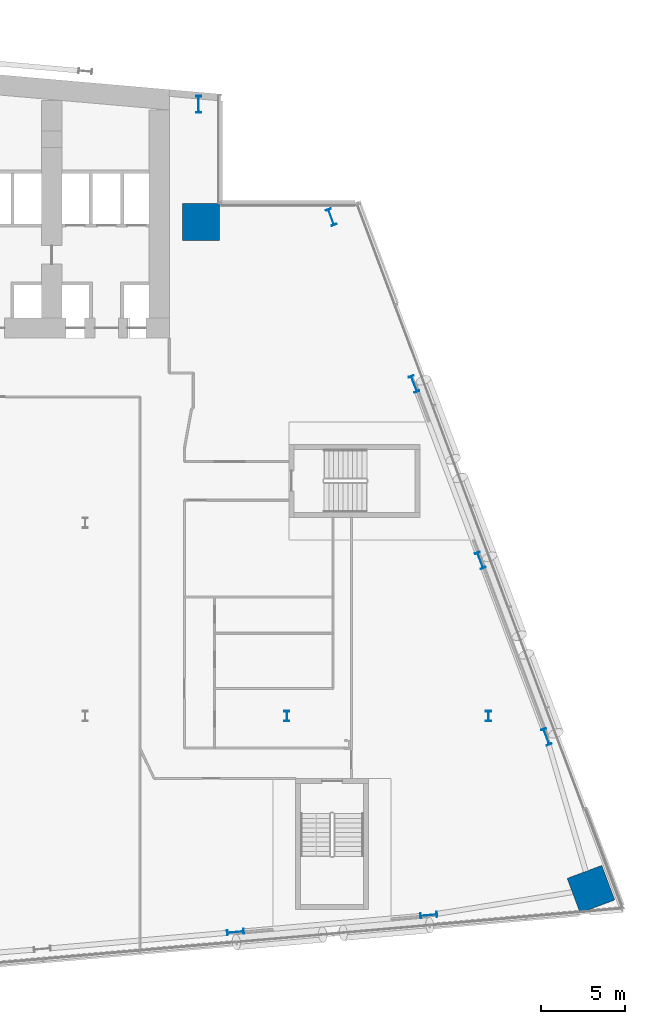
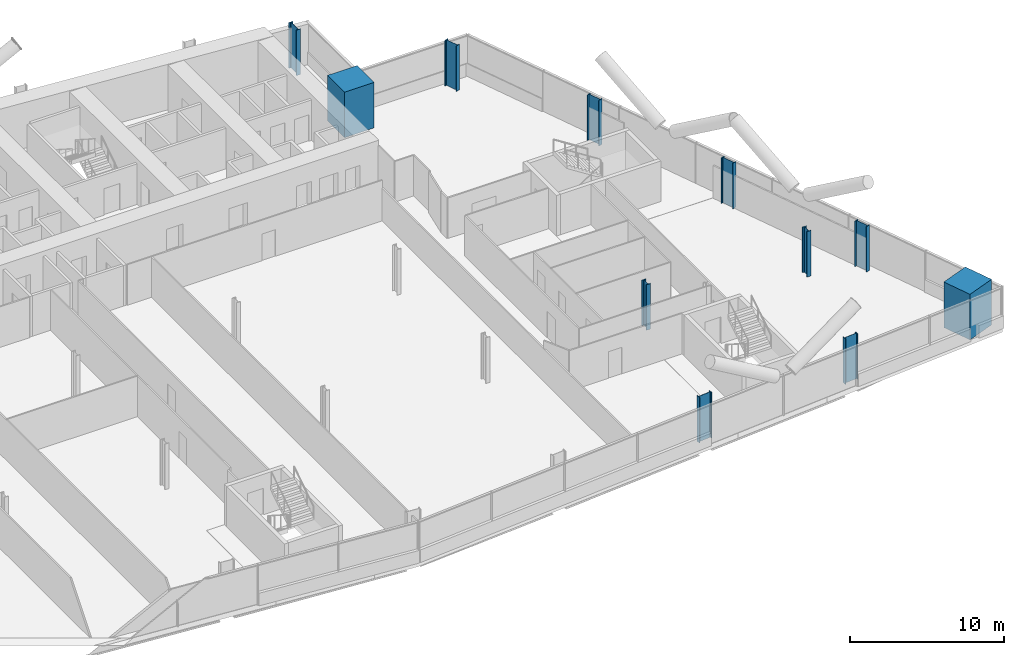
# One storey, part 3 of 25: 11 columns.
"""IFC4 building model written with IfcOpenShell, lengths in metres."""

from ifc_helpers import new_model, si_unit, direction, frame, origin, origin_2d, place, context, subcontext, project, spatial, rectangle, i_section, extrude, material, material_profile, profile_set, type_object, element, save


model = new_model("IFC4")

# Units and contexts
model_context = context("Model", 3, precision=1e-05, world=origin(), true_north=direction((0.0, 1.0)))
body_context = subcontext(model_context, "Body", "Model", "MODEL_VIEW")
ifc_project = project(units=[si_unit("LENGTHUNIT", "METRE"), si_unit("AREAUNIT", "SQUARE_METRE"), si_unit("VOLUMEUNIT", "CUBIC_METRE"), si_unit("PLANEANGLEUNIT", "RADIAN"), si_unit("MASSUNIT", "GRAM", prefix="KILO")], contexts=[model_context])

# Site, building, storey
site_placement = place(None, origin())
site = spatial("IfcSite", under=ifc_project, at=site_placement, CompositionType="ELEMENT")
building_placement = place(site_placement, origin())
building = spatial("IfcBuilding", under=site, at=building_placement, Name="Wharfspan Tower", CompositionType="ELEMENT")
storey_placement = place(building_placement, frame((0.0, 0.0, 63.100098)))
storey = spatial("IfcBuildingStorey", under=building, at=storey_placement, Name="L12", CompositionType="ELEMENT", Elevation=63.100098)

# Columns
ifc_material_1 = material(Name="Steel S355J2", Category="steel")
ifc_material_profile_1 = material_profile(ifc_material_1, i_section(OverallWidth=0.302002, OverallDepth=1.008057, WebThickness=0.020996, FlangeThickness=0.040039, FilletRadius=0.030029, at=origin_2d()))
ifc_profile_set_1 = profile_set([ifc_material_profile_1], Name="Steel S355J2")
column_type_1 = type_object("IfcColumnType", Name="Column HEM 1000", PredefinedType="COLUMN", material=ifc_profile_set_1)
for number, where, z_axis, x_axis, name in (
    (1, (68.942383, -1.354736, 0.0), (0.0, 0.0, 1.0), (0.087156, -0.996198, 0.0), "Perimeter column PS2.2 L12"),
    (2, (80.442383, -0.348633, 0.0), (0.0, 0.0, 1.0), (0.087156, -0.996198, 0.0), "Perimeter column PS2.3 L12"),
    (3, (87.44458, 10.268311, 0.0), (0.0, 0.0, 1.0), (0.936328, 0.351123, 0.0), "Perimeter column PE.1 L12"),
    (4, (83.50708, 20.768311, 0.0), (0.0, 0.0, 1.0), (0.936328, 0.351123, 0.0), "Perimeter column PE.2 L12"),
    (5, (79.56958, 31.268311, 0.0), (0.0, 0.0, 1.0), (0.936328, 0.351123, 0.0), "Perimeter column PE.3 L12"),
    (6, (74.634277, 41.196289, 0.0), (0.0, 0.0, 1.0), (0.936328, 0.351123, 0.0), "Perimeter column PE.4 L12"),
    (7, (66.747803, 47.915283, 0.0), (0.0, 0.0, 1.0), (1.0, 0.0, 0.0), "Perimeter column PNRE-V.1 L12"),
):
    element("IfcColumn", number, at=place(storey_placement, frame(where, z_axis=z_axis, x_axis=x_axis)), inside=storey, type_object=column_type_1, Name=name, PredefinedType="COLUMN", context=body_context, shape_type="SweptSolid", body=[
        extrude(i_section(OverallWidth=0.302002, OverallDepth=1.008057, WebThickness=0.020996, FlangeThickness=0.040039, FilletRadius=0.030029, at=origin_2d()), origin(), (0.0, 0.0, 1.0), 3.599854),
    ])
ifc_material_profile_2 = material_profile(ifc_material_1, i_section(OverallWidth=0.304932, OverallDepth=0.620117, WebThickness=0.020996, FlangeThickness=0.040039, FilletRadius=0.0271, at=origin_2d()))
ifc_profile_set_2 = profile_set([ifc_material_profile_2], Name="Steel S355J2")
column_type_2 = type_object("IfcColumnType", Name="Column HEM 600", PredefinedType="COLUMN", material=ifc_profile_set_2)
for number, where, z_axis, x_axis, name in (
    (8, (72.0, 11.5, 0.0), (0.0, 0.0, 1.0), (1.0, 0.0, 0.0), "Interior column I.1.6 L12"),
    (9, (84.0, 11.5, 0.0), (0.0, 0.0, 1.0), (1.0, 0.0, 0.0), "Interior column I.1.7 L12"),
):
    element("IfcColumn", number, at=place(storey_placement, frame(where, z_axis=z_axis, x_axis=x_axis)), inside=storey, type_object=column_type_2, Name=name, PredefinedType="COLUMN", context=body_context, shape_type="SweptSolid", body=[
        extrude(i_section(OverallWidth=0.304932, OverallDepth=0.620117, WebThickness=0.020996, FlangeThickness=0.040039, FilletRadius=0.0271, at=origin_2d()), origin(), (0.0, 0.0, 1.0), 3.599854),
    ])
ifc_material_2 = material(Name="Concrete C70/85", Category="concrete")
ifc_material_profile_3 = material_profile(ifc_material_2, rectangle(XDim=2.199951, YDim=2.199951, at=origin_2d()))
ifc_profile_set_3 = profile_set([ifc_material_profile_3], Name="Concrete C70/85")
column_type_3 = type_object("IfcColumnType", Name="Mega column 2200 C70/85", PredefinedType="COLUMN", material=ifc_profile_set_3)
for number, where, z_axis, x_axis, name in (
    (10, (66.899902, 40.899902, 0.0), (0.0, 0.0, 1.0), (1.0, 0.0, 0.0), "Mega column MC3 L12"),
    (11, (90.096436, 1.199707, 0.0), (0.0, 0.0, 1.0), (-0.351123, 0.936328, 0.0), "Mega column MC4 L12"),
):
    element("IfcColumn", number, at=place(storey_placement, frame(where, z_axis=z_axis, x_axis=x_axis)), inside=storey, type_object=column_type_3, Name=name, PredefinedType="COLUMN", context=body_context, shape_type="SweptSolid", body=[
        extrude(rectangle(XDim=2.199951, YDim=2.199951, at=origin_2d()), origin(), (0.0, 0.0, 1.0), 3.599854),
    ])

save(model, "model.ifc")
